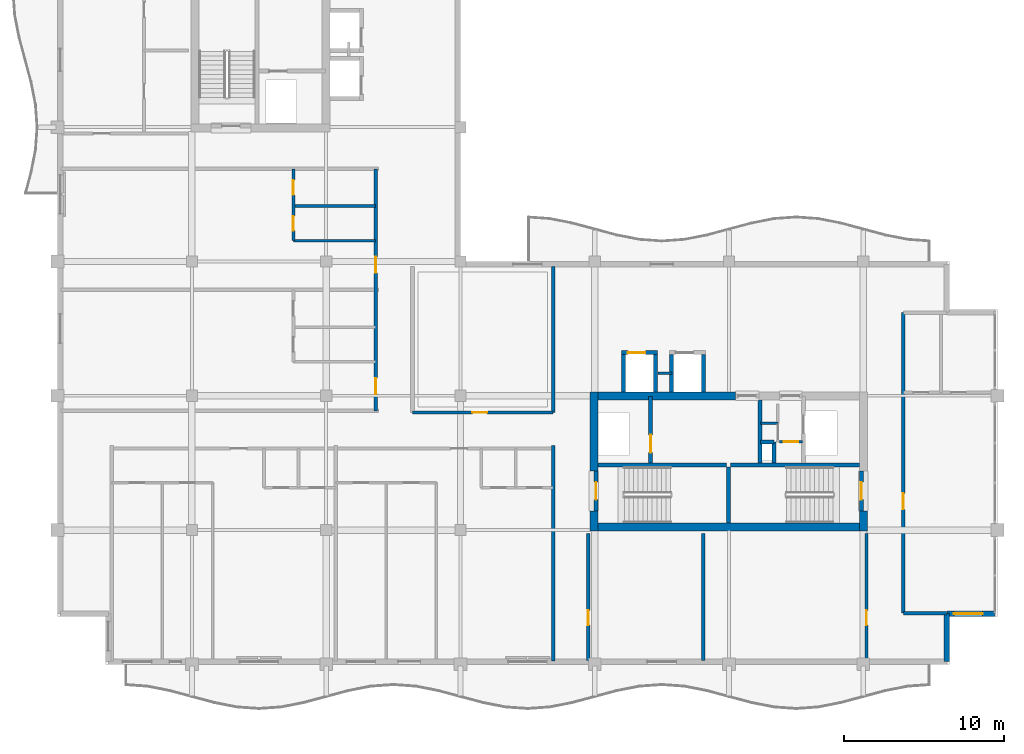
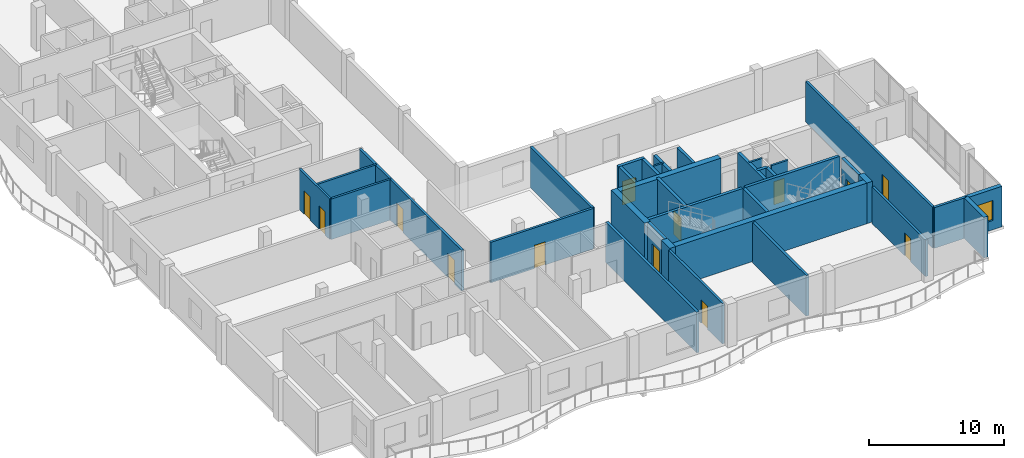
# One storey, part 7 of 15: 36 walls, 13 doors, 1 window, 14 openings.
"""IFC4 building model written with IfcOpenShell, lengths in metres."""

from ifc_helpers import new_model, si_unit, direction, frame, frame_2d, origin, place, context, subcontext, project, spatial, rectangle, extrude, material, layer, layer_set, type_object, element, fill, save


model = new_model("IFC4")

# Units and contexts
model_context = context("Model", 3, precision=1e-05, world=origin(), true_north=direction((0.0, 1.0)))
body_context = subcontext(model_context, "Body", "Model", "MODEL_VIEW")
ifc_project = project(units=[si_unit("LENGTHUNIT", "METRE"), si_unit("AREAUNIT", "SQUARE_METRE"), si_unit("VOLUMEUNIT", "CUBIC_METRE"), si_unit("PLANEANGLEUNIT", "RADIAN"), si_unit("MASSUNIT", "GRAM", prefix="KILO")], contexts=[model_context])

# Site, building, storey
site_placement = place(None, origin())
site = spatial("IfcSite", under=ifc_project, at=site_placement, CompositionType="ELEMENT")
building_placement = place(site_placement, origin())
building = spatial("IfcBuilding", under=site, at=building_placement, Name="Koriwani Terraces Tower", CompositionType="ELEMENT")
storey_placement = place(building_placement, frame((0.0, 0.0, 324.199951171875)))
storey = spatial("IfcBuildingStorey", under=building, at=storey_placement, Name="L80", CompositionType="ELEMENT", Elevation=324.199951171875)

# Walls
ifc_material_1 = material(Name="Concrete C50/60", Category="concrete")
ifc_layer_1 = layer(ifc_material_1, 0.5, Name="Concrete C50/60")
ifc_layer_set_1 = layer_set([ifc_layer_1], Name="Concrete C50/60")
wall_type_1 = type_object("IfcWallType", Name="WALL_CORE_RC_500", PredefinedType="SHEAR", material=ifc_layer_set_1)
wall_1_placement = place(storey_placement, frame((41.949951171875, 16.75, 0.0), z_axis=(0.0, 0.0, 1.0), x_axis=(0.0, 1.0, 0.0)))
element("IfcWall", 1, at=wall_1_placement, inside=storey, type_object=wall_type_1, Name="L80 East Split Core Shear Wall W1", PredefinedType="SHEAR", context=body_context, shape_type="SweptSolid", body=[
    extrude(rectangle(XDim=1.25, YDim=0.5, at=frame_2d((0.625, 0.0))), origin(), (0.0, 0.0, 1.0), 3.670166015625),
])
wall_2_placement = place(storey_placement, frame((41.949951171875, 20.5, 0.0), z_axis=(0.0, 0.0, 1.0), x_axis=(0.0, 1.0, 0.0)))
element("IfcWall", 2, at=wall_2_placement, inside=storey, type_object=wall_type_1, Name="L80 East Split Core Shear Wall W2", PredefinedType="SHEAR", context=body_context, shape_type="SweptSolid", body=[
    extrude(rectangle(XDim=4.949951171875, YDim=0.5, at=frame_2d((2.47509765625, 0.0))), origin(), (0.0, 0.0, 1.0), 3.670166015625),
])
wall_3_placement = place(storey_placement, frame((58.800048828125, 16.75, 0.0), z_axis=(0.0, 0.0, 1.0), x_axis=(0.0, 1.0, 0.0)))
element("IfcWall", 3, at=wall_3_placement, inside=storey, type_object=wall_type_1, Name="L80 East Split Core Shear Wall E1", PredefinedType="SHEAR", context=body_context, shape_type="SweptSolid", body=[
    extrude(rectangle(XDim=1.25, YDim=0.5, at=frame_2d((0.625, 0.0))), origin(), (0.0, 0.0, 1.0), 3.670166015625),
])
wall_4_placement = place(storey_placement, frame((42.199951171875, 17.0, 0.0), z_axis=(0.0, 0.0, 1.0), x_axis=(1.0, 0.0, 0.0)))
element("IfcWall", 4, at=wall_4_placement, inside=storey, type_object=wall_type_1, Name="L80 East Split Core Shear Wall S1", PredefinedType="SHEAR", context=body_context, shape_type="SweptSolid", body=[
    extrude(rectangle(XDim=16.35009765625, YDim=0.5, at=frame_2d((8.175048828125, 0.0))), origin(), (0.0, 0.0, 1.0), 3.670166015625),
])
wall_5_placement = place(storey_placement, frame((42.199951171875, 25.199951171875, 0.0), z_axis=(0.0, 0.0, 1.0), x_axis=(1.0, 0.0, 0.0)))
element("IfcWall", 5, at=wall_5_placement, inside=storey, type_object=wall_type_1, Name="L80 East Split Core Shear Wall N1", PredefinedType="SHEAR", context=body_context, shape_type="SweptSolid", body=[
    extrude(rectangle(XDim=8.60009765625, YDim=0.5, at=frame_2d((4.300048828125, 0.0))), origin(), (0.0, 0.0, 1.0), 3.670166015625),
])

# Wall, opening, door
ifc_material_2 = material(Name="Autoclaved Cellular Concrete Blockwork", Category="masonry")
ifc_layer_2 = layer(ifc_material_2, 0.199951171875, Name="Autoclaved Cellular Concrete Blockwork")
ifc_layer_set_2 = layer_set([ifc_layer_2], Name="Autoclaved Cellular Concrete Blockwork")
wall_type_2 = type_object("IfcWallType", Name="WALL_CORRIDOR_200", PredefinedType="PARTITIONING", material=ifc_layer_set_2)
wall_6_placement = place(storey_placement, frame((30.60009765625, 24.14990234375, 0.0), z_axis=(0.0, 0.0, 1.0), x_axis=(1.0, 0.0, 0.0)))
wall_6 = element("IfcWall", 6, at=wall_6_placement, inside=storey, type_object=wall_type_2, Name="L80 Interior Wall WIC4S-L80", PredefinedType="PARTITIONING", context=body_context, shape_type="SweptSolid", body=[
    extrude(rectangle(XDim=8.7998046875, YDim=0.199951171875, at=frame_2d((4.39990234375, 0.0))), origin(), (0.0, 0.0, 1.0), 3.670166015625),
])
opening_1_placement = place(wall_6_placement, frame((3.75, 0.0, 0.0)))
opening_1 = element("IfcOpeningElement", 7, at=opening_1_placement, cuts=wall_6, Name="Opening D-06", PredefinedType="OPENING", context=body_context, shape_type="SweptSolid", body=[
    extrude(rectangle(XDim=0.919921875, YDim=2.10009765625, at=frame_2d((0.4599609375, 1.050048828125))), frame((0.0, 0.10986328125, 0.0), z_axis=(0.0, -1.0, 0.0), x_axis=(1.0, 0.0, 0.0)), (0.0, 0.0, 1.0), 0.219970703125),
])
ifc_material_3 = material(Name="Architectural Oak Fire Door", Category="wood")
door_type_1 = type_object("IfcDoorType", Name="DOOR_ROOM_INT_920X2100", OperationType="NOTDEFINED", PredefinedType="DOOR", material=ifc_material_3)
door_1_placement = place(opening_1_placement, origin())
door_1 = element("IfcDoor", 8, at=door_1_placement, inside=storey, type_object=door_type_1, Name="L80 High-Rise Court Lounge Door", OperationType="SINGLE_SWING_RIGHT", OverallHeight=2.10009765625, OverallWidth=0.919921875, PredefinedType="DOOR", context=body_context, shape_type="SweptSolid", body=[
    extrude(rectangle(XDim=0.919921875, YDim=2.10009765625, at=frame_2d((0.4599609375, 1.050048828125))), frame((0.0, 0.02490234375, 0.0), z_axis=(0.0, -1.0, 0.0), x_axis=(1.0, 0.0, 0.0)), (0.0, 0.0, 1.0), 0.050048828125),
])
fill(opening_1, door_1)

wall_7_placement = place(storey_placement, frame((41.60009765625, 8.64990234375, 0.0), z_axis=(0.0, 0.0, 1.0), x_axis=(0.0, 1.0, 0.0)))
wall_7 = element("IfcWall", 9, at=wall_7_placement, inside=storey, type_object=wall_type_2, Name="L80 Interior Wall WRZ4-EW-L80", PredefinedType="PARTITIONING", context=body_context, shape_type="SweptSolid", body=[
    extrude(rectangle(XDim=7.9501953125, YDim=0.199951171875, at=frame_2d((3.97509765625, 0.0))), origin(), (0.0, 0.0, 1.0), 3.670166015625),
])
opening_2_placement = place(wall_7_placement, frame((2.199951171875, 0.0, 0.0)))
opening_2 = element("IfcOpeningElement", 10, at=opening_2_placement, cuts=wall_7, Name="Opening D-06", PredefinedType="OPENING", context=body_context, shape_type="SweptSolid", body=[
    extrude(rectangle(XDim=0.919921875, YDim=2.10009765625, at=frame_2d((0.4599609375, 1.050048828125))), frame((0.0, 0.10986328125, 0.0), z_axis=(0.0, -1.0, 0.0), x_axis=(1.0, 0.0, 0.0)), (0.0, 0.0, 1.0), 0.219970703125),
])
door_2_placement = place(opening_2_placement, origin())
door_2 = element("IfcDoor", 11, at=door_2_placement, inside=storey, type_object=door_type_1, Name="L80 Resident Library Study Door", OperationType="SINGLE_SWING_LEFT", OverallHeight=2.10009765625, OverallWidth=0.919921875, PredefinedType="DOOR", context=body_context, shape_type="SweptSolid", body=[
    extrude(rectangle(XDim=0.919921875, YDim=2.10009765625, at=frame_2d((0.4599609375, 1.050048828125))), frame((0.0, 0.02490234375, 0.0), z_axis=(0.0, -1.0, 0.0), x_axis=(1.0, 0.0, 0.0)), (0.0, 0.0, 1.0), 0.050048828125),
])
fill(opening_2, door_2)

wall_8_placement = place(storey_placement, frame((59.0, 8.64990234375, 0.0), z_axis=(0.0, 0.0, 1.0), x_axis=(0.0, 1.0, 0.0)))
wall_8 = element("IfcWall", 12, at=wall_8_placement, inside=storey, type_object=wall_type_2, Name="L80 Interior Wall WRZ4-EE-L80", PredefinedType="PARTITIONING", context=body_context, shape_type="SweptSolid", body=[
    extrude(rectangle(XDim=7.9501953125, YDim=0.199951171875, at=frame_2d((3.97509765625, 0.0))), origin(), (0.0, 0.0, 1.0), 3.30712890625),
])
opening_3_placement = place(wall_8_placement, frame((2.199951171875, 0.0, 0.0)))
opening_3 = element("IfcOpeningElement", 13, at=opening_3_placement, cuts=wall_8, Name="Opening D-06", PredefinedType="OPENING", context=body_context, shape_type="SweptSolid", body=[
    extrude(rectangle(XDim=0.919921875, YDim=2.10009765625, at=frame_2d((0.4599609375, 1.050048828125))), frame((0.0, 0.10986328125, 0.0), z_axis=(0.0, -1.0, 0.0), x_axis=(1.0, 0.0, 0.0)), (0.0, 0.0, 1.0), 0.219970703125),
])
door_3_placement = place(opening_3_placement, origin())
door_3 = element("IfcDoor", 14, at=door_3_placement, inside=storey, type_object=door_type_1, Name="L80 Resident Laundry Room Door", OperationType="SINGLE_SWING_RIGHT", OverallHeight=2.10009765625, OverallWidth=0.919921875, PredefinedType="DOOR", context=body_context, shape_type="SweptSolid", body=[
    extrude(rectangle(XDim=0.919921875, YDim=2.10009765625, at=frame_2d((0.4599609375, 1.050048828125))), frame((0.0, 0.02490234375, 0.0), z_axis=(0.0, -1.0, 0.0), x_axis=(1.0, 0.0, 0.0)), (0.0, 0.0, 1.0), 0.050048828125),
])
fill(opening_3, door_3)

# Wall, openings, doors
wall_9_placement = place(storey_placement, frame((28.300048828125, 24.25, 0.0), z_axis=(0.0, 0.0, 1.0), x_axis=(0.0, 1.0, 0.0)))
wall_9 = element("IfcWall", 15, at=wall_9_placement, inside=storey, type_object=wall_type_2, Name="L80 Interior Wall WRCOR-L80-NE-0", PredefinedType="PARTITIONING", context=body_context, shape_type="SweptSolid", body=[
    extrude(rectangle(XDim=15.14990234375, YDim=0.199951171875, at=frame_2d((7.574951171875, 0.0))), origin(), (0.0, 0.0, 1.0), 3.670166015625),
])
opening_4_placement = place(wall_9_placement, frame((1.0576171875, 0.0, 0.0)))
opening_4 = element("IfcOpeningElement", 16, at=opening_4_placement, cuts=wall_9, Name="Opening D-05", PredefinedType="OPENING", context=body_context, shape_type="SweptSolid", body=[
    extrude(rectangle(XDim=1.0, YDim=2.14990234375, at=frame_2d((0.5, 1.074951171875))), frame((0.0, 0.10986328125, 0.0), z_axis=(0.0, -1.0, 0.0), x_axis=(1.0, 0.0, 0.0)), (0.0, 0.0, 1.0), 0.219970703125),
])
opening_5_placement = place(wall_9_placement, frame((8.632568359375, 0.0, 0.0)))
opening_5 = element("IfcOpeningElement", 17, at=opening_5_placement, cuts=wall_9, Name="Opening D-05", PredefinedType="OPENING", context=body_context, shape_type="SweptSolid", body=[
    extrude(rectangle(XDim=1.0, YDim=2.14990234375, at=frame_2d((0.5, 1.074951171875))), frame((0.0, 0.10986328125, 0.0), z_axis=(0.0, -1.0, 0.0), x_axis=(1.0, 0.0, 0.0)), (0.0, 0.0, 1.0), 0.219970703125),
])
door_type_2 = type_object("IfcDoorType", Name="DOOR_SUITE_ENTRY_1000X2150", OperationType="NOTDEFINED", PredefinedType="DOOR", material=ifc_material_3)
door_4_placement = place(opening_4_placement, origin())
door_4 = element("IfcDoor", 18, at=door_4_placement, inside=storey, type_object=door_type_2, Name="Apartment 80NE1 Entrance Door", OperationType="SINGLE_SWING_LEFT", OverallHeight=2.14990234375, OverallWidth=1.0, PredefinedType="DOOR", context=body_context, shape_type="SweptSolid", body=[
    extrude(rectangle(XDim=1.0, YDim=2.14990234375, at=frame_2d((0.5, 1.074951171875))), frame((0.0, 0.02490234375, 0.0), z_axis=(0.0, -1.0, 0.0), x_axis=(1.0, 0.0, 0.0)), (0.0, 0.0, 1.0), 0.050048828125),
])
fill(opening_4, door_4)
door_5_placement = place(opening_5_placement, origin())
door_5 = element("IfcDoor", 19, at=door_5_placement, inside=storey, type_object=door_type_2, Name="Apartment 80NE2 Entrance Door", OperationType="SINGLE_SWING_RIGHT", OverallHeight=2.14990234375, OverallWidth=1.0, PredefinedType="DOOR", context=body_context, shape_type="SweptSolid", body=[
    extrude(rectangle(XDim=1.0, YDim=2.14990234375, at=frame_2d((0.5, 1.074951171875))), frame((0.0, 0.02490234375, 0.0), z_axis=(0.0, -1.0, 0.0), x_axis=(1.0, 0.0, 0.0)), (0.0, 0.0, 1.0), 0.050048828125),
])
fill(opening_5, door_5)

# Wall, opening, door
wall_10_placement = place(storey_placement, frame((61.300048828125, 11.60009765625, 0.0), z_axis=(0.0, 0.0, 1.0), x_axis=(0.0, 1.0, 0.0)))
wall_10 = element("IfcWall", 20, at=wall_10_placement, inside=storey, type_object=wall_type_2, Name="L80 Interior Wall WET-W-L80", PredefinedType="PARTITIONING", context=body_context, shape_type="SweptSolid", body=[
    extrude(rectangle(XDim=18.7998046875, YDim=0.199951171875, at=frame_2d((9.39990234375, 0.0))), origin(), (0.0, 0.0, 1.0), 3.670166015625),
])
opening_6_placement = place(wall_10_placement, frame((6.5, 0.0, 0.0)))
opening_6 = element("IfcOpeningElement", 21, at=opening_6_placement, cuts=wall_10, Name="Opening D-05", PredefinedType="OPENING", context=body_context, shape_type="SweptSolid", body=[
    extrude(rectangle(XDim=1.0, YDim=2.14990234375, at=frame_2d((0.5, 1.074951171875))), frame((0.0, 0.10986328125, 0.0), z_axis=(0.0, -1.0, 0.0), x_axis=(1.0, 0.0, 0.0)), (0.0, 0.0, 1.0), 0.219970703125),
])
door_6_placement = place(opening_6_placement, origin())
door_6 = element("IfcDoor", 22, at=door_6_placement, inside=storey, type_object=door_type_2, Name="Apartment 80ET Entrance Door", OperationType="SINGLE_SWING_RIGHT", OverallHeight=2.14990234375, OverallWidth=1.0, PredefinedType="DOOR", context=body_context, shape_type="SweptSolid", body=[
    extrude(rectangle(XDim=1.0, YDim=2.14990234375, at=frame_2d((0.5, 1.074951171875))), frame((0.0, 0.02490234375, 0.0), z_axis=(0.0, -1.0, 0.0), x_axis=(1.0, 0.0, 0.0)), (0.0, 0.0, 1.0), 0.050048828125),
])
fill(opening_6, door_6)

# Walls
ifc_layer_3 = layer(ifc_material_2, 0.219970703125, Name="Autoclaved Cellular Concrete Blockwork")
ifc_layer_set_3 = layer_set([ifc_layer_3], Name="Autoclaved Cellular Concrete Blockwork")
wall_type_3 = type_object("IfcWallType", Name="WALL_DEMISING_220", PredefinedType="PARTITIONING", material=ifc_layer_set_3)
wall_11_placement = place(storey_placement, frame((39.39990234375, 24.14990234375, 0.0), z_axis=(0.0, 0.0, 1.0), x_axis=(0.0, 1.0, 0.0)))
element("IfcWall", 23, at=wall_11_placement, inside=storey, type_object=wall_type_3, Name="L80 Interior Wall WIC4SE-L80", PredefinedType="PARTITIONING", context=body_context, shape_type="SweptSolid", body=[
    extrude(rectangle(XDim=9.150146484375, YDim=0.219970703125, at=frame_2d((4.5751953125, 0.0))), origin(), (0.0, 0.0, 1.0), 3.670166015625),
])
wall_12_placement = place(storey_placement, frame((48.800048828125, 8.64990234375, 0.0), z_axis=(0.0, 0.0, 1.0), x_axis=(0.0, 1.0, 0.0)))
element("IfcWall", 24, at=wall_12_placement, inside=storey, type_object=wall_type_3, Name="L80 Interior Wall WRZ4-EM-L80", PredefinedType="PARTITIONING", context=body_context, shape_type="SweptSolid", body=[
    extrude(rectangle(XDim=7.9501953125, YDim=0.219970703125, at=frame_2d((3.97509765625, 0.0))), origin(), (0.0, 0.0, 1.0), 3.670166015625),
])
wall_13_placement = place(storey_placement, frame((39.39990234375, 8.60009765625, 0.0), z_axis=(0.0, 0.0, 1.0), x_axis=(0.0, 1.0, 0.0)))
element("IfcWall", 25, at=wall_13_placement, inside=storey, type_object=wall_type_3, Name="L80 Interior Wall WRDEME-L80-SW", PredefinedType="PARTITIONING", context=body_context, shape_type="SweptSolid", body=[
    extrude(rectangle(XDim=13.47998046875, YDim=0.219970703125, at=frame_2d((6.739990234375, 0.0))), origin(), (0.0, 0.0, 1.0), 3.670166015625),
])
wall_14_placement = place(storey_placement, frame((61.300048828125, 11.60009765625, 0.0), z_axis=(0.0, 0.0, 1.0), x_axis=(1.0, 0.0, 0.0)))
element("IfcWall", 26, at=wall_14_placement, inside=storey, type_object=wall_type_3, Name="L80 Interior Wall WET-S-L80", PredefinedType="PARTITIONING", context=body_context, shape_type="SweptSolid", body=[
    extrude(rectangle(XDim=2.699951171875, YDim=0.219970703125, at=frame_2d((1.35009765625, 0.0))), origin(), (0.0, 0.0, 1.0), 3.670166015625),
])

# Wall, opening, window
ifc_layer_4 = layer(ifc_material_1, 0.35009765625, Name="Concrete C50/60")
ifc_layer_set_4 = layer_set([ifc_layer_4], Name="Concrete C50/60")
wall_type_4 = type_object("IfcWallType", Name="WALL_EXT_BRUTALIST_350", PredefinedType="STANDARD", material=ifc_layer_set_4)
wall_15_placement = place(storey_placement, frame((67.02490234375, 11.574951171875, 0.0), z_axis=(0.0, 0.0, 1.0), x_axis=(-1.0, 0.0, 0.0)))
wall_15 = element("IfcWall", 27, at=wall_15_placement, inside=storey, type_object=wall_type_4, Name="L80 Fair-Faced Brutalist Exterior Wall (N13)", PredefinedType="STANDARD", context=body_context, shape_type="SweptSolid", body=[
    extrude(rectangle(XDim=3.0, YDim=0.35009765625, at=frame_2d((1.5, 0.0))), origin(), (0.0, 0.0, 1.0), 3.670166015625),
])
opening_7_placement = place(wall_15_placement, frame((0.762451171875, 0.0, 0.85009765625)))
opening_7 = element("IfcOpeningElement", 28, at=opening_7_placement, cuts=wall_15, Name="Opening W-04", PredefinedType="OPENING", context=body_context, shape_type="SweptSolid", body=[
    extrude(rectangle(XDim=1.800048828125, YDim=1.800048828125, at=frame_2d((0.89990234375, 0.89990234375))), frame((0.0, 0.18505859375, 0.0), z_axis=(0.0, -1.0, 0.0), x_axis=(1.0, 0.0, 0.0)), (0.0, 0.0, 1.0), 0.3701171875),
])
ifc_material_4 = material(Name="Tempered Laminated Low-E Glass", Category="glass")
window_type = type_object("IfcWindowType", Name="WIN_RES_BED_1800X1800", PartitioningType="DOUBLE_PANEL_VERTICAL", PredefinedType="WINDOW", material=ifc_material_4)
window_placement = place(opening_7_placement, origin())
window = element("IfcWindow", 29, at=window_placement, inside=storey, type_object=window_type, Name="L80 Exterior Window (N13-R58)", OverallHeight=1.800048828125, OverallWidth=1.800048828125, PartitioningType="SINGLE_PANEL", PredefinedType="WINDOW", context=body_context, shape_type="SweptSolid", body=[
    extrude(rectangle(XDim=1.800048828125, YDim=1.800048828125, at=frame_2d((0.89990234375, 0.89990234375))), frame((0.0, 0.030029296875, 0.0), z_axis=(0.0, -1.0, 0.0), x_axis=(1.0, 0.0, 0.0)), (0.0, 0.0, 1.0), 0.06005859375),
])
fill(opening_7, window)

# Wall
wall_16_placement = place(storey_placement, frame((64.02490234375, 11.574951171875, 0.0), z_axis=(0.0, 0.0, 1.0), x_axis=(0.0, -1.0, 0.0)))
element("IfcWall", 30, at=wall_16_placement, inside=storey, type_object=wall_type_4, Name="L80 Fair-Faced Brutalist Exterior Wall (N14)", PredefinedType="STANDARD", context=body_context, shape_type="SweptSolid", body=[
    extrude(rectangle(XDim=3.0, YDim=0.35009765625, at=frame_2d((1.5, 0.0))), origin(), (0.0, 0.0, 1.0), 3.670166015625),
])

# Wall, openings, doors
ifc_material_5 = material(Name="Fire-Rated Acoustic Gypsum Partition", Category="masonry")
ifc_layer_5 = layer(ifc_material_5, 0.179931640625, Name="Fire-Rated Acoustic Gypsum Partition")
ifc_layer_set_5 = layer_set([ifc_layer_5], Name="Fire-Rated Acoustic Gypsum Partition")
wall_type_5 = type_object("IfcWallType", Name="WALL_PLUMBING_180", PredefinedType="PLUMBINGWALL", material=ifc_layer_set_5)
wall_17_placement = place(storey_placement, frame((23.14990234375, 34.89990234375, 0.0), z_axis=(0.0, 0.0, 1.0), x_axis=(0.0, 1.0, 0.0)))
wall_17 = element("IfcWall", 31, at=wall_17_placement, inside=storey, type_object=wall_type_5, Name="L80 Interior Wall WRSVC-L80-NE-1", PredefinedType="PLUMBINGWALL", context=body_context, shape_type="SweptSolid", body=[
    extrude(rectangle(XDim=4.5, YDim=0.179931640625, at=frame_2d((2.25, 0.0))), origin(), (0.0, 0.0, 1.0), 3.670166015625),
])
opening_8_placement = place(wall_17_placement, frame((0.6298828125, 0.0, 0.0)))
opening_8 = element("IfcOpeningElement", 32, at=opening_8_placement, cuts=wall_17, Name="Opening D-07", PredefinedType="OPENING", context=body_context, shape_type="SweptSolid", body=[
    extrude(rectangle(XDim=0.89990234375, YDim=2.10009765625, at=frame_2d((0.449951171875, 1.050048828125))), frame((0.0, 0.10009765625, 0.0), z_axis=(0.0, -1.0, 0.0), x_axis=(1.0, 0.0, 0.0)), (0.0, 0.0, 1.0), 0.199951171875),
])
opening_9_placement = place(wall_17_placement, frame((2.8701171875, 0.0, 0.0)))
opening_9 = element("IfcOpeningElement", 33, at=opening_9_placement, cuts=wall_17, Name="Opening D-06", PredefinedType="OPENING", context=body_context, shape_type="SweptSolid", body=[
    extrude(rectangle(XDim=0.919921875, YDim=2.10009765625, at=frame_2d((0.4599609375, 1.050048828125))), frame((0.0, 0.10009765625, 0.0), z_axis=(0.0, -1.0, 0.0), x_axis=(1.0, 0.0, 0.0)), (0.0, 0.0, 1.0), 0.199951171875),
])
door_type_3 = type_object("IfcDoorType", Name="DOOR_BATH_INT_900X2100", OperationType="NOTDEFINED", PredefinedType="DOOR", material=ifc_material_3)
door_7_placement = place(opening_8_placement, origin())
door_7 = element("IfcDoor", 34, at=door_7_placement, inside=storey, type_object=door_type_3, Name="Apartment 80NE2 Bathroom Door", OperationType="SINGLE_SWING_LEFT", OverallHeight=2.10009765625, OverallWidth=0.89990234375, PredefinedType="DOOR", context=body_context, shape_type="SweptSolid", body=[
    extrude(rectangle(XDim=0.89990234375, YDim=2.10009765625, at=frame_2d((0.449951171875, 1.050048828125))), frame((0.0, 0.02490234375, 0.0), z_axis=(0.0, -1.0, 0.0), x_axis=(1.0, 0.0, 0.0)), (0.0, 0.0, 1.0), 0.050048828125),
])
fill(opening_8, door_7)
door_8_placement = place(opening_9_placement, origin())
door_8 = element("IfcDoor", 35, at=door_8_placement, inside=storey, type_object=door_type_1, Name="Apartment 80NE2 Kitchen Door", OperationType="SINGLE_SWING_RIGHT", OverallHeight=2.10009765625, OverallWidth=0.919921875, PredefinedType="DOOR", context=body_context, shape_type="SweptSolid", body=[
    extrude(rectangle(XDim=0.919921875, YDim=2.10009765625, at=frame_2d((0.4599609375, 1.050048828125))), frame((0.0, 0.02490234375, 0.0), z_axis=(0.0, -1.0, 0.0), x_axis=(1.0, 0.0, 0.0)), (0.0, 0.0, 1.0), 0.050048828125),
])
fill(opening_9, door_8)

# Walls
for number, where, z_axis, x_axis, name in (
    (36, (23.14990234375, 34.89990234375, 0.0), (0.0, 0.0, 1.0), (1.0, 0.0, 0.0), "L80 Interior Wall WRSVCS-L80-NE-1"),
    (37, (23.14990234375, 37.06005859375, 0.0), (0.0, 0.0, 1.0), (1.0, 0.0, 0.0), "L80 Interior Wall WRSVCM-L80-NE-1"),
):
    element("IfcWall", number, at=place(storey_placement, frame(where, z_axis=z_axis, x_axis=x_axis)), inside=storey, type_object=wall_type_5, Name=name, PredefinedType="PLUMBINGWALL", context=body_context, shape_type="SweptSolid", body=[
        extrude(rectangle(XDim=5.150146484375, YDim=0.179931640625, at=frame_2d((2.5751953125, 0.0))), origin(), (0.0, 0.0, 1.0), 3.670166015625),
    ])
ifc_material_6 = material(Name="Concrete C40/50", Category="concrete")
ifc_layer_6 = layer(ifc_material_6, 0.25, Name="Concrete C40/50")
ifc_layer_set_6 = layer_set([ifc_layer_6], Name="Concrete C40/50")
wall_type_6 = type_object("IfcWallType", Name="WALL_SHAFT_RATED_250", PredefinedType="SOLIDWALL", material=ifc_layer_set_6)
for number, where, z_axis, x_axis, name in (
    (38, (42.199951171875, 20.875, 0.0), (0.0, 0.0, 1.0), (1.0, 0.0, 0.0), "L80 East Split Core Web Wall MID1"),
    (39, (50.5, 20.875, 0.0), (0.0, 0.0, 1.0), (1.0, 0.0, 0.0), "L80 East Split Core Web Wall MID2"),
):
    element("IfcWall", number, at=place(storey_placement, frame(where, z_axis=z_axis, x_axis=x_axis)), inside=storey, type_object=wall_type_6, Name=name, PredefinedType="SOLIDWALL", context=body_context, shape_type="SweptSolid", body=[
        extrude(rectangle(XDim=8.050048828125, YDim=0.25, at=frame_2d((4.02490234375, 0.0))), origin(), (0.0, 0.0, 1.0), 3.670166015625),
    ])
wall_18_placement = place(storey_placement, frame((50.375, 17.25, 0.0), z_axis=(0.0, 0.0, 1.0), x_axis=(0.0, 1.0, 0.0)))
element("IfcWall", 40, at=wall_18_placement, inside=storey, type_object=wall_type_6, Name="L80 East Split Core Stair Dividing Wall", PredefinedType="SOLIDWALL", context=body_context, shape_type="SweptSolid", body=[
    extrude(rectangle(XDim=3.5, YDim=0.25, at=frame_2d((1.75, 0.0))), origin(), (0.0, 0.0, 1.0), 3.670166015625),
])

# Wall, opening, door
wall_19_placement = place(storey_placement, frame((42.074951171875, 18.0, 0.0), z_axis=(0.0, 0.0, 1.0), x_axis=(0.0, 1.0, 0.0)))
wall_19 = element("IfcWall", 41, at=wall_19_placement, inside=storey, type_object=wall_type_6, Name="L80 Interior Wall WIN-CE-L80-STW", PredefinedType="SOLIDWALL", context=body_context, shape_type="SweptSolid", body=[
    extrude(rectangle(XDim=2.5, YDim=0.25, at=frame_2d((1.25, 0.0))), origin(), (0.0, 0.0, 1.0), 3.670166015625),
])
opening_10_placement = place(wall_19_placement, frame((0.699951171875, 0.0, 0.0)))
opening_10 = element("IfcOpeningElement", 42, at=opening_10_placement, cuts=wall_19, Name="Opening D-03", PredefinedType="OPENING", context=body_context, shape_type="SweptSolid", body=[
    extrude(rectangle(XDim=1.10009765625, YDim=2.14990234375, at=frame_2d((0.550048828125, 1.074951171875))), frame((0.0, 0.135009765625, 0.0), z_axis=(0.0, -1.0, 0.0), x_axis=(1.0, 0.0, 0.0)), (0.0, 0.0, 1.0), 0.27001953125),
])
ifc_material_7 = material(Name="Steel ASTM A572 Grade 50", Category="steel")
door_type_4 = type_object("IfcDoorType", Name="DOOR_STAIR_FIRE_1100X2150", OperationType="NOTDEFINED", PredefinedType="DOOR", material=ifc_material_7)
door_9_placement = place(opening_10_placement, origin())
door_9 = element("IfcDoor", 43, at=door_9_placement, inside=storey, type_object=door_type_4, Name="L80 Exit Stair ST-E1 Door", OperationType="SINGLE_SWING_LEFT", OverallHeight=2.14990234375, OverallWidth=1.10009765625, PredefinedType="DOOR", context=body_context, shape_type="SweptSolid", body=[
    extrude(rectangle(XDim=1.10009765625, YDim=2.14990234375, at=frame_2d((0.550048828125, 1.074951171875))), frame((0.0, 0.02490234375, 0.0), z_axis=(0.0, -1.0, 0.0), x_axis=(1.0, 0.0, 0.0)), (0.0, 0.0, 1.0), 0.050048828125),
])
fill(opening_10, door_9)

wall_20_placement = place(storey_placement, frame((58.675048828125, 18.0, 0.0), z_axis=(0.0, 0.0, 1.0), x_axis=(0.0, 1.0, 0.0)))
wall_20 = element("IfcWall", 44, at=wall_20_placement, inside=storey, type_object=wall_type_6, Name="L80 Interior Wall WIN-CE-L80-STE", PredefinedType="SOLIDWALL", context=body_context, shape_type="SweptSolid", body=[
    extrude(rectangle(XDim=2.5, YDim=0.25, at=frame_2d((1.25, 0.0))), origin(), (0.0, 0.0, 1.0), 3.670166015625),
])
opening_11_placement = place(wall_20_placement, frame((0.699951171875, 0.0, 0.0)))
opening_11 = element("IfcOpeningElement", 45, at=opening_11_placement, cuts=wall_20, Name="Opening D-03", PredefinedType="OPENING", context=body_context, shape_type="SweptSolid", body=[
    extrude(rectangle(XDim=1.10009765625, YDim=2.14990234375, at=frame_2d((0.550048828125, 1.074951171875))), frame((0.0, 0.135009765625, 0.0), z_axis=(0.0, -1.0, 0.0), x_axis=(1.0, 0.0, 0.0)), (0.0, 0.0, 1.0), 0.27001953125),
])
door_10_placement = place(opening_11_placement, origin())
door_10 = element("IfcDoor", 46, at=door_10_placement, inside=storey, type_object=door_type_4, Name="L80 Exit Stair ST-E2 Door", OperationType="SINGLE_SWING_RIGHT", OverallHeight=2.14990234375, OverallWidth=1.10009765625, PredefinedType="DOOR", context=body_context, shape_type="SweptSolid", body=[
    extrude(rectangle(XDim=1.10009765625, YDim=2.14990234375, at=frame_2d((0.550048828125, 1.074951171875))), frame((0.0, 0.02490234375, 0.0), z_axis=(0.0, -1.0, 0.0), x_axis=(1.0, 0.0, 0.0)), (0.0, 0.0, 1.0), 0.050048828125),
])
fill(opening_11, door_10)

wall_21_placement = place(storey_placement, frame((45.5, 21.0, 0.0), z_axis=(0.0, 0.0, 1.0), x_axis=(0.0, 1.0, 0.0)))
wall_21 = element("IfcWall", 47, at=wall_21_placement, inside=storey, type_object=wall_type_6, Name="L80 Interior Wall WIN-CE-L80-FE", PredefinedType="SOLIDWALL", context=body_context, shape_type="SweptSolid", body=[
    extrude(rectangle(XDim=4.14990234375, YDim=0.25, at=frame_2d((2.074951171875, 0.0))), origin(), (0.0, 0.0, 1.0), 3.670166015625),
])
opening_12_placement = place(wall_21_placement, frame((0.64990234375, 0.0, 0.0)))
opening_12 = element("IfcOpeningElement", 48, at=opening_12_placement, cuts=wall_21, Name="Opening LD-01", PredefinedType="OPENING", context=body_context, shape_type="SweptSolid", body=[
    extrude(rectangle(XDim=1.10009765625, YDim=2.14990234375, at=frame_2d((0.550048828125, 1.074951171875))), frame((0.0, 0.135009765625, 0.0), z_axis=(0.0, -1.0, 0.0), x_axis=(1.0, 0.0, 0.0)), (0.0, 0.0, 1.0), 0.27001953125),
])
door_type_5 = type_object("IfcDoorType", Name="DOOR_LIFT_LANDING_1100X2200", OperationType="NOTDEFINED", PredefinedType="DOOR", material=ifc_material_7)
door_11_placement = place(opening_12_placement, origin())
door_11 = element("IfcDoor", 49, at=door_11_placement, inside=storey, type_object=door_type_5, Name="L80 Firefighting Lift FE-02 Landing Door", OperationType="SLIDING_TO_LEFT", OverallHeight=2.14990234375, OverallWidth=1.10009765625, PredefinedType="DOOR", context=body_context, shape_type="SweptSolid", body=[
    extrude(rectangle(XDim=1.10009765625, YDim=2.14990234375, at=frame_2d((0.550048828125, 1.074951171875))), frame((0.0, 0.02490234375, 0.0), z_axis=(0.0, -1.0, 0.0), x_axis=(1.0, 0.0, 0.0)), (0.0, 0.0, 1.0), 0.050048828125),
])
fill(opening_12, door_11)

# Walls
wall_22_placement = place(storey_placement, frame((52.340087890625, 21.0, 0.0), z_axis=(0.0, 0.0, 1.0), x_axis=(0.0, 1.0, 0.0)))
element("IfcWall", 50, at=wall_22_placement, inside=storey, type_object=wall_type_6, Name="L80 Interior Wall WIN-CE-L80-FFE", PredefinedType="SOLIDWALL", context=body_context, shape_type="SweptSolid", body=[
    extrude(rectangle(XDim=3.949951171875, YDim=0.25, at=frame_2d((1.97509765625, 0.0))), origin(), (0.0, 0.0, 1.0), 3.670166015625),
])
wall_23_placement = place(storey_placement, frame((53.199951171875, 21.0, 0.0), z_axis=(0.0, 0.0, 1.0), x_axis=(0.0, 1.0, 0.0)))
element("IfcWall", 51, at=wall_23_placement, inside=storey, type_object=wall_type_6, Name="L80 Interior Wall WIN-CE-L80-RS1", PredefinedType="SOLIDWALL", context=body_context, shape_type="SweptSolid", body=[
    extrude(rectangle(XDim=1.300048828125, YDim=0.25, at=frame_2d((0.64990234375, 0.0))), origin(), (0.0, 0.0, 1.0), 3.670166015625),
])
wall_24_placement = place(storey_placement, frame((52.360107421875, 22.300048828125, 0.0), z_axis=(0.0, 0.0, 1.0), x_axis=(1.0, 0.0, 0.0)))
element("IfcWall", 52, at=wall_24_placement, inside=storey, type_object=wall_type_6, Name="L80 Interior Wall WIN-CE-L80-RS2", PredefinedType="SOLIDWALL", context=body_context, shape_type="SweptSolid", body=[
    extrude(rectangle(XDim=0.83984375, YDim=0.25, at=frame_2d((0.419921875, 0.0))), origin(), (0.0, 0.0, 1.0), 3.670166015625),
])

# Wall, opening, door
wall_25_placement = place(storey_placement, frame((43.675048828125, 27.89990234375, 0.0), z_axis=(0.0, 0.0, 1.0), x_axis=(1.0, 0.0, 0.0)))
wall_25 = element("IfcWall", 53, at=wall_25_placement, inside=storey, type_object=wall_type_6, Name="L80 Interior Wall WIN-LF-PE-H3-L80-F", PredefinedType="SOLIDWALL", context=body_context, shape_type="SweptSolid", body=[
    extrude(rectangle(XDim=2.25, YDim=0.25, at=frame_2d((1.125, 0.0))), origin(), (0.0, 0.0, 1.0), 3.670166015625),
])
opening_13_placement = place(wall_25_placement, frame((0.39990234375, 0.0, 0.0)))
opening_13 = element("IfcOpeningElement", 54, at=opening_13_placement, cuts=wall_25, Name="Opening LD-01", PredefinedType="OPENING", context=body_context, shape_type="SweptSolid", body=[
    extrude(rectangle(XDim=1.10009765625, YDim=2.14990234375, at=frame_2d((0.550048828125, 1.074951171875))), frame((0.0, 0.135009765625, 0.0), z_axis=(0.0, -1.0, 0.0), x_axis=(1.0, 0.0, 0.0)), (0.0, 0.0, 1.0), 0.27001953125),
])
door_12_placement = place(opening_13_placement, origin())
door_12 = element("IfcDoor", 55, at=door_12_placement, inside=storey, type_object=door_type_5, Name="L80 Passenger Lift PE-H3 Landing Door", OperationType="SLIDING_TO_LEFT", OverallHeight=2.14990234375, OverallWidth=1.10009765625, PredefinedType="DOOR", context=body_context, shape_type="SweptSolid", body=[
    extrude(rectangle(XDim=1.10009765625, YDim=2.14990234375, at=frame_2d((0.550048828125, 1.074951171875))), frame((0.0, 0.02490234375, 0.0), z_axis=(0.0, -1.0, 0.0), x_axis=(1.0, 0.0, 0.0)), (0.0, 0.0, 1.0), 0.050048828125),
])
fill(opening_13, door_12)

# Walls
for number, where, z_axis, x_axis, name in (
    (56, (43.800048828125, 25.449951171875, 0.0), (0.0, 0.0, 1.0), (0.0, 1.0, 0.0), "L80 Interior Wall WIN-LF-PE-H3-L80-W"),
    (57, (45.800048828125, 25.449951171875, 0.0), (0.0, 0.0, 1.0), (0.0, 1.0, 0.0), "L80 Interior Wall WIN-LF-PE-H3-L80-E"),
    (58, (46.800048828125, 25.449951171875, 0.0), (0.0, 0.0, 1.0), (0.0, 1.0, 0.0), "L80 Interior Wall WIN-LF-PE-H4-L80-W"),
    (59, (48.800048828125, 25.449951171875, 0.0), (0.0, 0.0, 1.0), (0.0, 1.0, 0.0), "L80 Interior Wall WIN-LF-PE-H4-L80-E"),
):
    element("IfcWall", number, at=place(storey_placement, frame(where, z_axis=z_axis, x_axis=x_axis)), inside=storey, type_object=wall_type_6, Name=name, PredefinedType="SOLIDWALL", context=body_context, shape_type="SweptSolid", body=[
        extrude(rectangle(XDim=2.324951171875, YDim=0.25, at=frame_2d((1.16259765625, 0.0))), origin(), (0.0, 0.0, 1.0), 3.670166015625),
    ])

# Wall, opening, door
ifc_layer_7 = layer(ifc_material_5, 0.159912109375, Name="Fire-Rated Acoustic Gypsum Partition")
ifc_layer_set_7 = layer_set([ifc_layer_7], Name="Fire-Rated Acoustic Gypsum Partition")
wall_type_7 = type_object("IfcWallType", Name="WALL_SUITE_160", PredefinedType="PARTITIONING", material=ifc_layer_set_7)
wall_26_placement = place(storey_placement, frame((53.56005859375, 22.320068359375, 0.0), z_axis=(0.0, 0.0, 1.0), x_axis=(1.0, 0.0, 0.0)))
wall_26 = element("IfcWall", 60, at=wall_26_placement, inside=storey, type_object=wall_type_7, Name="L80 Interior Wall WIN-CE-L80-SV2A", PredefinedType="PARTITIONING", context=body_context, shape_type="SweptSolid", body=[
    extrude(rectangle(XDim=1.43994140625, YDim=0.159912109375, at=frame_2d((0.719970703125, 0.0))), origin(), (0.0, 0.0, 1.0), 3.670166015625),
])
opening_14_placement = place(wall_26_placement, frame((0.260009765625, 0.0, 0.0)))
opening_14 = element("IfcOpeningElement", 61, at=opening_14_placement, cuts=wall_26, Name="Opening D-07", PredefinedType="OPENING", context=body_context, shape_type="SweptSolid", body=[
    extrude(rectangle(XDim=0.89990234375, YDim=2.10009765625, at=frame_2d((0.449951171875, 1.050048828125))), frame((0.0, 0.08984375, 0.0), z_axis=(0.0, -1.0, 0.0), x_axis=(1.0, 0.0, 0.0)), (0.0, 0.0, 1.0), 0.179931640625),
])
door_13_placement = place(opening_14_placement, origin())
door_13 = element("IfcDoor", 62, at=door_13_placement, inside=storey, type_object=door_type_3, Name="L80 East Meter Room Door", OperationType="SINGLE_SWING_LEFT", OverallHeight=2.10009765625, OverallWidth=0.89990234375, PredefinedType="DOOR", context=body_context, shape_type="SweptSolid", body=[
    extrude(rectangle(XDim=0.89990234375, YDim=2.10009765625, at=frame_2d((0.449951171875, 1.050048828125))), frame((0.0, 0.02490234375, 0.0), z_axis=(0.0, -1.0, 0.0), x_axis=(1.0, 0.0, 0.0)), (0.0, 0.0, 1.0), 0.050048828125),
])
fill(opening_14, door_13)

# Walls
wall_27_placement = place(storey_placement, frame((52.360107421875, 23.47998046875, 0.0), z_axis=(0.0, 0.0, 1.0), x_axis=(1.0, 0.0, 0.0)))
element("IfcWall", 63, at=wall_27_placement, inside=storey, type_object=wall_type_7, Name="L80 Interior Wall WIN-CE-L80-SV2V", PredefinedType="PARTITIONING", context=body_context, shape_type="SweptSolid", body=[
    extrude(rectangle(XDim=1.099853515625, YDim=0.159912109375, at=frame_2d((0.5498046875, 0.0))), origin(), (0.0, 0.0, 1.0), 3.670166015625),
])
wall_28_placement = place(storey_placement, frame((45.9599609375, 26.60009765625, 0.0), z_axis=(0.0, 0.0, 1.0), x_axis=(1.0, 0.0, 0.0)))
element("IfcWall", 64, at=wall_28_placement, inside=storey, type_object=wall_type_7, Name="L80 Interior Wall WIN-LF-PEH34-MID-L80", PredefinedType="PARTITIONING", context=body_context, shape_type="SweptSolid", body=[
    extrude(rectangle(XDim=0.880126953125, YDim=0.159912109375, at=frame_2d((0.43994140625, 0.0))), origin(), (0.0, 0.0, 1.0), 3.670166015625),
])

save(model, "model.ifc")
